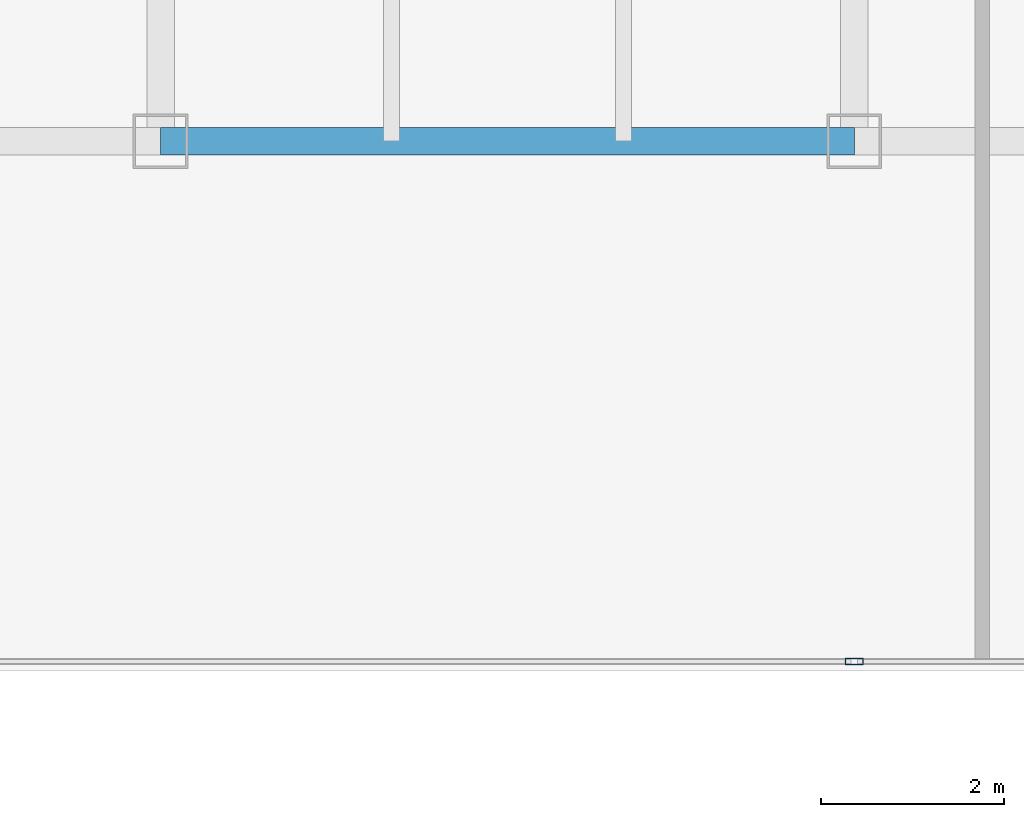
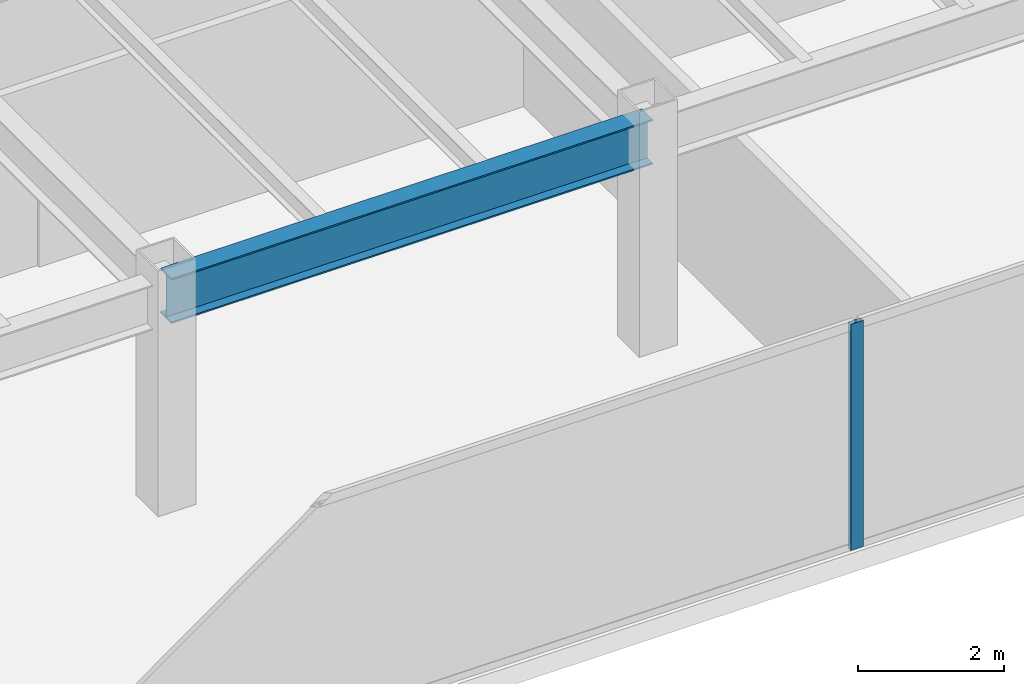
# One storey, part 8 of 35: 1 beam, 1 member, 1 element without a shape of its own.
"""IFC4 building model written with IfcOpenShell, lengths in metres."""

from ifc_helpers import new_model, si_unit, direction, frame, origin, origin_2d, place, context, subcontext, project, spatial, hollow_rectangle, i_section, extrude, source, transform, mapped, material, layer, layer_set, material_profile, profile_set, type_object, type_shapes, element, aggregate, save


model = new_model("IFC4")

# Units and contexts
model_context = context("Model", 3, precision=1e-05, world=origin(), true_north=direction((0.0, 1.0)))
body_context = subcontext(model_context, "Body", "Model", "MODEL_VIEW")
ifc_project = project(units=[si_unit("LENGTHUNIT", "METRE"), si_unit("AREAUNIT", "SQUARE_METRE"), si_unit("VOLUMEUNIT", "CUBIC_METRE"), si_unit("PLANEANGLEUNIT", "RADIAN"), si_unit("MASSUNIT", "GRAM", prefix="KILO")], contexts=[model_context])

# Site, building, storey
site_placement = place(None, origin())
site = spatial("IfcSite", under=ifc_project, at=site_placement, CompositionType="ELEMENT")
building_placement = place(site_placement, origin())
building = spatial("IfcBuilding", under=site, at=building_placement, Name="Haelvirn Gate Laboratories", CompositionType="ELEMENT")
storey_placement = place(building_placement, frame((0.0, 0.0, 41.60009765625)))
storey = spatial("IfcBuildingStorey", under=building, at=storey_placement, Name="L10", CompositionType="ELEMENT", Elevation=41.60009765625)

# Beam
ifc_material_1 = material(Name="Steel SM355", Category="steel")
ifc_material_profile_1 = material_profile(ifc_material_1, i_section(OverallWidth=0.300048828125, OverallDepth=0.75, WebThickness=0.013916015625, FlangeThickness=0.02392578125, at=origin_2d()), Name="H-750x300x14x24")
ifc_profile_set_1 = profile_set([ifc_material_profile_1], Name="Steel SM355")
beam_type = type_object("IfcBeamType", Name="BM-G-750", PredefinedType="BEAM", material=ifc_profile_set_1)
shared_shape_1 = source(origin(), body_context, "Body", "SweptSolid", [
    extrude(i_section(OverallWidth=0.300048828125, OverallDepth=0.75, WebThickness=0.013916015625, FlangeThickness=0.02392578125, at=origin_2d()), origin(), (0.0, 0.0, 1.0), 7.599853515625),
])
type_shapes(beam_type, [shared_shape_1])
beam_placement = place(storey_placement, frame((29.800048828125, 7.0, 3.40478515625), z_axis=(1.0, 0.0, 0.0), x_axis=(0.0, 1.0, 0.0)))
element("IfcBeam", 1, at=beam_placement, inside=storey, type_object=beam_type, Name="L10 Primary Girder Y7.0 (29.8-37.4)", PredefinedType="BEAM", context=body_context, shape_type="MappedRepresentation", body=[
    mapped(shared_shape_1, transform((0.0, 0.0, 0.0), scale=1.0)),
])

# Curtain wall, member
ifc_material_2 = material(Name="Anodised bronze unitised aluminium & triple low-E glass", Category="aluminium")
ifc_layer = layer(ifc_material_2, 0.18408203125, Name="CW-SYS-2")
ifc_layer_set = layer_set([ifc_layer], Name="Anodised bronze unitised aluminium & triple low-E glass")
curtain_wall_type = type_object("IfcCurtainWallType", Name="CW-SYS-2", PredefinedType="NOTDEFINED", material=ifc_layer_set)
curtain_wall_placement = place(storey_placement, origin())
curtain_wall = element("IfcCurtainWall", 2, at=curtain_wall_placement, inside=storey, type_object=curtain_wall_type, Name="L10 Unitised Curtain Wall CW-L10-P0-E02-1", PredefinedType="NOTDEFINED")
ifc_material_3 = material(Name="Extruded aluminium 6063-T6 (anodised bronze)", Category="aluminium")
ifc_material_profile_2 = material_profile(ifc_material_3, hollow_rectangle(XDim=0.074951171875, YDim=0.199951171875, WallThickness=0.0048828125, at=origin_2d()), Name="CWM-200x75x5")
ifc_profile_set_2 = profile_set([ifc_material_profile_2], Name="Extruded aluminium 6063-T6 (anodised bronze)")
member_type = type_object("IfcMemberType", Name="CWM-T200", PredefinedType="MULLION", material=ifc_profile_set_2)
shared_shape_2 = source(origin(), body_context, "Body", "SweptSolid", [
    extrude(hollow_rectangle(XDim=0.074951171875, YDim=0.199951171875, WallThickness=0.0048828125, at=origin_2d()), origin(), (0.0, 0.0, 1.0), 3.77978515625),
])
type_shapes(member_type, [shared_shape_2])
member_placement = place(storey_placement, frame((37.39990234375, 1.300048828125, 0.0), z_axis=(0.0, 0.0, 1.0), x_axis=(0.0, 1.0, 0.0)))
member = element("IfcMember", 3, at=member_placement, type_object=member_type, Name="CW2 mullion 2", PredefinedType="MULLION", context=body_context, shape_type="MappedRepresentation", body=[
    mapped(shared_shape_2, transform((0.0, 0.0, 0.0), scale=1.0)),
])
aggregate(curtain_wall, [member])

save(model, "model.ifc")
